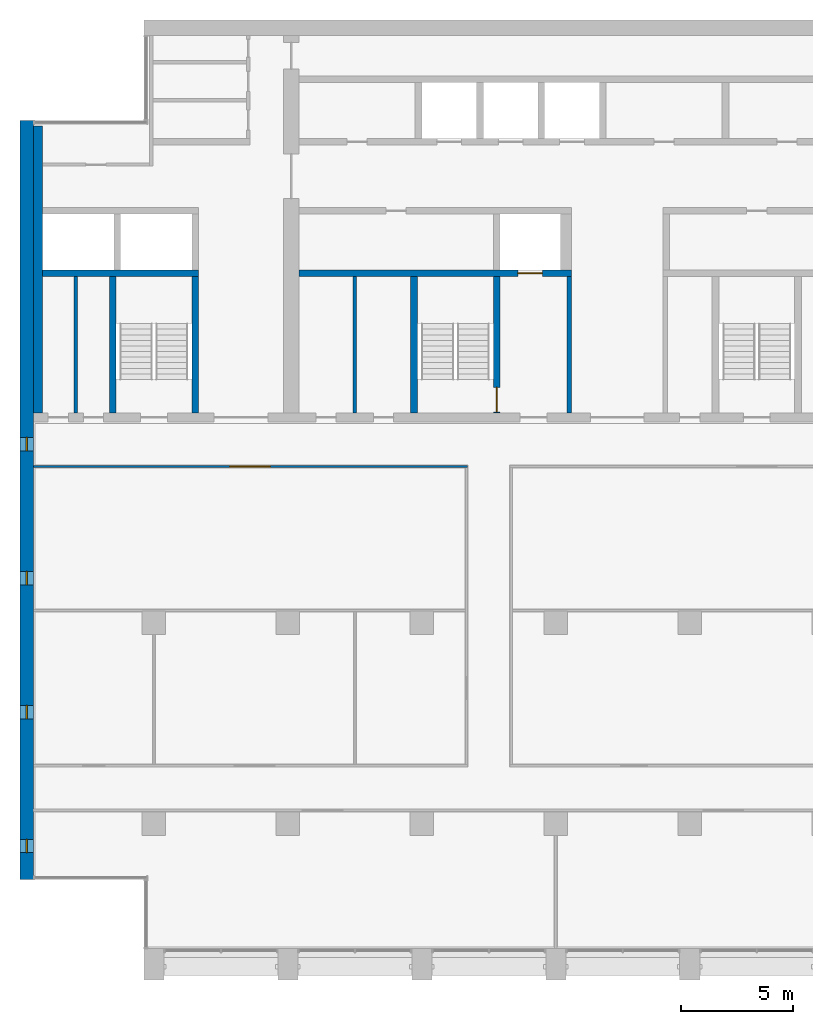
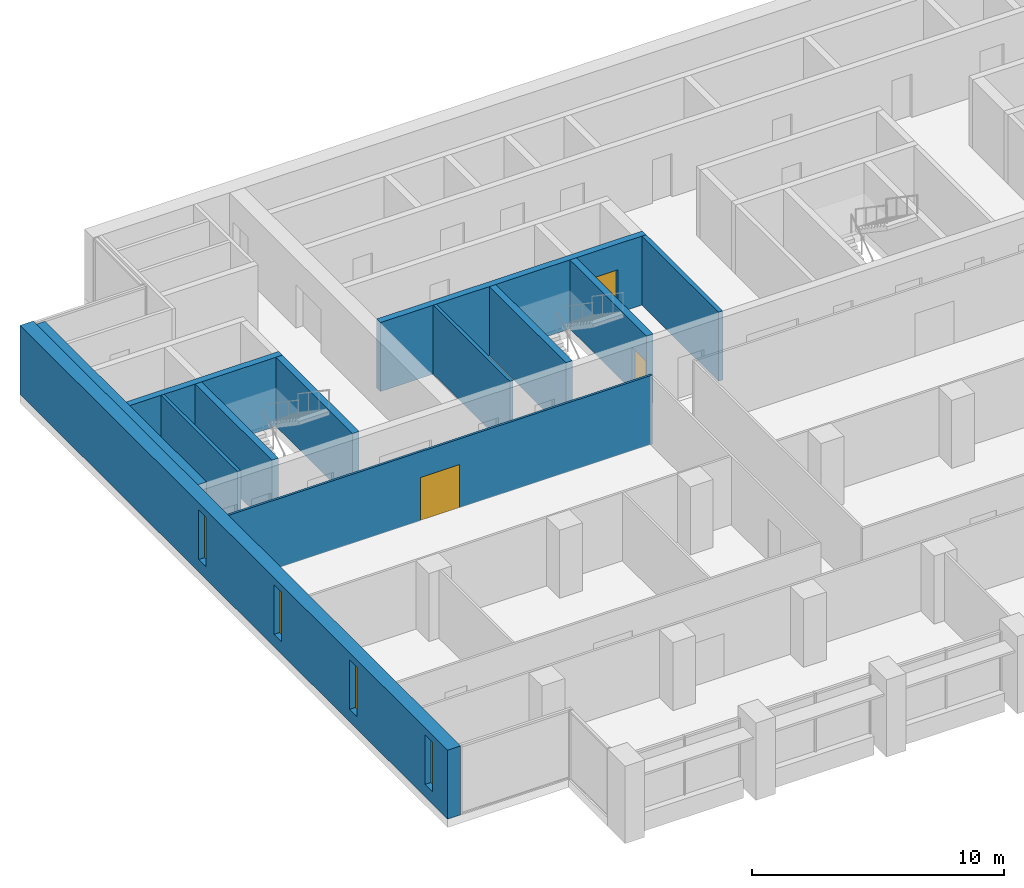
# One storey, part 8 of 17: 12 walls, 4 windows, 3 doors, 7 openings.
"""IFC4 building model written with IfcOpenShell, lengths in metres."""

from ifc_helpers import new_model, si_unit, direction, frame, frame_2d, origin, place, context, subcontext, project, spatial, rectangle, extrude, material, layer, layer_set, type_object, element, fill, save


model = new_model("IFC4")

# Units and contexts
model_context = context("Model", 3, precision=1e-05, world=origin(), true_north=direction((0.0, 1.0)))
body_context = subcontext(model_context, "Body", "Model", "MODEL_VIEW")
ifc_project = project(units=[si_unit("LENGTHUNIT", "METRE"), si_unit("AREAUNIT", "SQUARE_METRE"), si_unit("VOLUMEUNIT", "CUBIC_METRE"), si_unit("PLANEANGLEUNIT", "RADIAN"), si_unit("MASSUNIT", "GRAM", prefix="KILO")], contexts=[model_context])

# Site, building, storey
site_placement = place(None, origin())
site = spatial("IfcSite", under=ifc_project, at=site_placement, CompositionType="ELEMENT")
building_placement = place(site_placement, origin())
building = spatial("IfcBuilding", under=site, at=building_placement, Name="Calvaro Tower", CompositionType="ELEMENT")
storey_placement = place(building_placement, frame((0.0, 0.0, 208.0)))
storey = spatial("IfcBuildingStorey", under=building, at=storey_placement, Name="L52", CompositionType="ELEMENT", Elevation=208.0)

# Walls
ifc_material_1 = material(Name="Blockwork partition", Category="masonry")
ifc_layer_1 = layer(ifc_material_1, 0.14990234375)
ifc_layer_set_1 = layer_set([ifc_layer_1], Name="Blockwork partition")
wall_type_1 = type_object("IfcWallType", Name="Core partition 150 EI 60", PredefinedType="PARTITIONING", material=ifc_layer_set_1)
wall_1_placement = place(storey_placement, frame((21.0, 28.39990234375, 0.0), z_axis=(0.0, 0.0, 1.0), x_axis=(0.0, 1.0, 0.0)))
element("IfcWall", 1, at=wall_1_placement, inside=storey, type_object=wall_type_1, Name="Core partition", PredefinedType="PARTITIONING", context=body_context, shape_type="SweptSolid", body=[
    extrude(rectangle(XDim=6.10009765625, YDim=0.14990234375, at=frame_2d((3.050048828125, 0.0))), origin(), (0.0, 0.0, 1.0), 3.35009765625),
])
ifc_material_2 = material(Name="Blockwork partition", Category="masonry")
ifc_layer_2 = layer(ifc_material_2, 0.14990234375)
ifc_layer_set_2 = layer_set([ifc_layer_2], Name="Blockwork partition")
wall_type_2 = type_object("IfcWallType", Name="Core partition 150 REI 120", PredefinedType="PARTITIONING", material=ifc_layer_set_2)
wall_2_placement = place(storey_placement, frame((8.5, 28.39990234375, 0.0), z_axis=(0.0, 0.0, 1.0), x_axis=(0.0, 1.0, 0.0)))
element("IfcWall", 2, at=wall_2_placement, inside=storey, type_object=wall_type_2, Name="Core partition", PredefinedType="PARTITIONING", context=body_context, shape_type="SweptSolid", body=[
    extrude(rectangle(XDim=6.10009765625, YDim=0.14990234375, at=frame_2d((3.050048828125, 0.0))), origin(), (0.0, 0.0, 1.0), 3.35009765625),
])
ifc_material_3 = material(Name="Blockwork partition", Category="masonry")
ifc_layer_3 = layer(ifc_material_3, 0.199951171875)
ifc_layer_set_3 = layer_set([ifc_layer_3], Name="Blockwork partition")
wall_type_3 = type_object("IfcWallType", Name="Core partition 200 REI 120", PredefinedType="PARTITIONING", material=ifc_layer_set_3)
wall_3_placement = place(storey_placement, frame((30.60009765625, 28.39990234375, 0.0), z_axis=(0.0, 0.0, 1.0), x_axis=(0.0, 1.0, 0.0)))
element("IfcWall", 3, at=wall_3_placement, inside=storey, type_object=wall_type_3, Name="Core partition", PredefinedType="PARTITIONING", context=body_context, shape_type="SweptSolid", body=[
    extrude(rectangle(XDim=6.10009765625, YDim=0.199951171875, at=frame_2d((3.050048828125, 0.0))), origin(), (0.0, 0.0, 1.0), 3.35009765625),
])
ifc_material_4 = material(Name="Concrete C50/60", Category="concrete")
ifc_layer_4 = layer(ifc_material_4, 0.300048828125)
ifc_layer_set_4 = layer_set([ifc_layer_4], Name="Concrete C50/60")
wall_type_4 = type_object("IfcWallType", Name="Core wall C50/60 300", PredefinedType="SHEAR", material=ifc_layer_set_4)
for number, where, z_axis, x_axis, name in (
    (4, (10.14990234375, 28.39990234375, 0.0), (0.0, 0.0, 1.0), (0.0, 1.0, 0.0), "Core wall, stair enclosure"),
    (5, (13.85009765625, 28.39990234375, 0.0), (0.0, 0.0, 1.0), (0.0, 1.0, 0.0), "Core wall, stair enclosure"),
    (6, (23.64990234375, 28.39990234375, 0.0), (0.0, 0.0, 1.0), (0.0, 1.0, 0.0), "Core wall, stair enclosure"),
):
    element("IfcWall", number, at=place(storey_placement, frame(where, z_axis=z_axis, x_axis=x_axis)), inside=storey, type_object=wall_type_4, Name=name, PredefinedType="SHEAR", context=body_context, shape_type="SweptSolid", body=[
        extrude(rectangle(XDim=6.10009765625, YDim=0.300048828125, at=frame_2d((3.050048828125, 0.0))), origin(), (0.0, 0.0, 1.0), 3.35009765625),
    ])

# Wall, opening, door
wall_4_placement = place(storey_placement, frame((27.35009765625, 28.39990234375, 0.0), z_axis=(0.0, 0.0, 1.0), x_axis=(0.0, 1.0, 0.0)))
wall_4 = element("IfcWall", 7, at=wall_4_placement, inside=storey, type_object=wall_type_4, Name="Core wall, stair enclosure", PredefinedType="SHEAR", context=body_context, shape_type="SweptSolid", body=[
    extrude(rectangle(XDim=6.10009765625, YDim=0.300048828125, at=frame_2d((3.050048828125, 0.0))), origin(), (0.0, 0.0, 1.0), 3.35009765625),
])
opening_1_placement = place(wall_4_placement, frame((0.050048828125, 0.0, 0.0)))
opening_1 = element("IfcOpeningElement", 8, at=opening_1_placement, cuts=wall_4, Name="Opening FD11D", PredefinedType="OPENING", context=body_context, shape_type="SweptSolid", body=[
    extrude(rectangle(XDim=1.10009765625, YDim=2.10009765625, at=frame_2d((0.550048828125, 1.050048828125))), frame((0.0, 0.159912109375, 0.0), z_axis=(0.0, -1.0, 0.0), x_axis=(1.0, 0.0, 0.0)), (0.0, 0.0, 1.0), 0.320068359375),
])
ifc_material_5 = material(Name="Steel door set", Category="steel")
door_type_1 = type_object("IfcDoorType", Name="Fire door 1100 FD30S", OperationType="SINGLE_SWING_LEFT", PredefinedType="DOOR", material=ifc_material_5)
door_1_placement = place(opening_1_placement, origin())
door_1 = element("IfcDoor", 9, at=door_1_placement, inside=storey, type_object=door_type_1, Name="Fire door", OperationType="SINGLE_SWING_LEFT", OverallHeight=2.10009765625, OverallWidth=1.10009765625, PredefinedType="DOOR", context=body_context, shape_type="SweptSolid", body=[
    extrude(rectangle(XDim=1.10009765625, YDim=2.10009765625, at=frame_2d((0.550048828125, 1.050048828125))), frame((0.0, 0.02490234375, 0.0), z_axis=(0.0, -1.0, 0.0), x_axis=(1.0, 0.0, 0.0)), (0.0, 0.0, 1.0), 0.050048828125),
])
fill(opening_1, door_1)

# Wall
wall_5_placement = place(storey_placement, frame((7.0, 34.64990234375, 0.0), z_axis=(0.0, 0.0, 1.0), x_axis=(1.0, 0.0, 0.0)))
element("IfcWall", 10, at=wall_5_placement, inside=storey, type_object=wall_type_4, Name="Core wall, lift shaft", PredefinedType="SHEAR", context=body_context, shape_type="SweptSolid", body=[
    extrude(rectangle(XDim=7.0, YDim=0.300048828125, at=frame_2d((3.5, 0.0))), origin(), (0.0, 0.0, 1.0), 3.35009765625),
])

# Wall, opening, door
wall_6_placement = place(storey_placement, frame((18.5, 34.64990234375, 0.0), z_axis=(0.0, 0.0, 1.0), x_axis=(1.0, 0.0, 0.0)))
wall_6 = element("IfcWall", 11, at=wall_6_placement, inside=storey, type_object=wall_type_4, Name="Core wall, lift shaft", PredefinedType="SHEAR", context=body_context, shape_type="SweptSolid", body=[
    extrude(rectangle(XDim=12.199951171875, YDim=0.300048828125, at=frame_2d((6.10009765625, 0.0))), origin(), (0.0, 0.0, 1.0), 3.35009765625),
])
opening_2_placement = place(wall_6_placement, frame((9.800048828125, 0.0, 0.0)))
opening_2 = element("IfcOpeningElement", 12, at=opening_2_placement, cuts=wall_6, Name="Opening FF1", PredefinedType="OPENING", context=body_context, shape_type="SweptSolid", body=[
    extrude(rectangle(XDim=1.10009765625, YDim=2.10009765625, at=frame_2d((0.550048828125, 1.050048828125))), frame((0.0, 0.159912109375, 0.0), z_axis=(0.0, -1.0, 0.0), x_axis=(1.0, 0.0, 0.0)), (0.0, 0.0, 1.0), 0.320068359375),
])
ifc_material_6 = material(Name="Stainless steel", Category="steel")
door_type_2 = type_object("IfcDoorType", Name="Landing door 1100 E 60", OperationType="SLIDING_TO_LEFT", PredefinedType="DOOR", material=ifc_material_6)
door_2_placement = place(opening_2_placement, origin())
door_2 = element("IfcDoor", 13, at=door_2_placement, inside=storey, type_object=door_type_2, Name="Landing door FF1", OperationType="SLIDING_TO_LEFT", OverallHeight=2.10009765625, OverallWidth=1.10009765625, PredefinedType="DOOR", context=body_context, shape_type="SweptSolid", body=[
    extrude(rectangle(XDim=1.10009765625, YDim=2.10009765625, at=frame_2d((0.550048828125, 1.050048828125))), frame((0.0, 0.02490234375, 0.0), z_axis=(0.0, -1.0, 0.0), x_axis=(1.0, 0.0, 0.0)), (0.0, 0.0, 1.0), 0.050048828125),
])
fill(opening_2, door_2)

# Wall
ifc_material_7 = material(Name="Concrete C50/60", Category="concrete")
ifc_layer_5 = layer(ifc_material_7, 0.39990234375)
ifc_layer_set_5 = layer_set([ifc_layer_5], Name="Concrete C50/60")
wall_type_5 = type_object("IfcWallType", Name="Core wall C50/60 400", PredefinedType="SHEAR", material=ifc_layer_set_5)
wall_7_placement = place(storey_placement, frame((6.800048828125, 28.39990234375, 0.0), z_axis=(0.0, 0.0, 1.0), x_axis=(0.0, 1.0, 0.0)))
element("IfcWall", 14, at=wall_7_placement, inside=storey, type_object=wall_type_5, Name="Core wall, boundary", PredefinedType="SHEAR", context=body_context, shape_type="SweptSolid", body=[
    extrude(rectangle(XDim=12.85009765625, YDim=0.39990234375, at=frame_2d((6.425048828125, 0.0))), origin(), (0.0, 0.0, 1.0), 3.35009765625),
])

# Wall, openings, windows
ifc_material_8 = material(Name="Concrete C50/60", Category="concrete")
ifc_layer_6 = layer(ifc_material_8, 0.60009765625)
ifc_layer_set_6 = layer_set([ifc_layer_6], Name="Concrete C50/60")
wall_type_6 = type_object("IfcWallType", Name="End wall 600 C50/60", PredefinedType="SHEAR", material=ifc_layer_set_6)
wall_8_placement = place(storey_placement, frame((6.300048828125, 7.5, 0.0), z_axis=(0.0, 0.0, 1.0), x_axis=(0.0, 1.0, 0.0)))
wall_8 = element("IfcWall", 15, at=wall_8_placement, inside=storey, type_object=wall_type_6, Name="End shear wall", PredefinedType="SHEAR", context=body_context, shape_type="SweptSolid", body=[
    extrude(rectangle(XDim=34.0, YDim=0.60009765625, at=frame_2d((17.0, 0.0))), origin(), (0.0, 0.0, 1.0), 3.35009765625),
])
opening_3_placement = place(wall_8_placement, frame((1.199951171875, 0.0, 0.60009765625)))
opening_3 = element("IfcOpeningElement", 16, at=opening_3_placement, cuts=wall_8, Name="Opening WW01", PredefinedType="OPENING", context=body_context, shape_type="SweptSolid", body=[
    extrude(rectangle(XDim=0.60009765625, YDim=2.39990234375, at=frame_2d((0.300048828125, 1.199951171875))), frame((0.0, 0.31005859375, 0.0), z_axis=(0.0, -1.0, 0.0), x_axis=(1.0, 0.0, 0.0)), (0.0, 0.0, 1.0), 0.6201171875),
])
opening_4_placement = place(wall_8_placement, frame((7.199951171875, 0.0, 0.60009765625)))
opening_4 = element("IfcOpeningElement", 17, at=opening_4_placement, cuts=wall_8, Name="Opening WW02", PredefinedType="OPENING", context=body_context, shape_type="SweptSolid", body=[
    extrude(rectangle(XDim=0.60009765625, YDim=2.39990234375, at=frame_2d((0.300048828125, 1.199951171875))), frame((0.0, 0.31005859375, 0.0), z_axis=(0.0, -1.0, 0.0), x_axis=(1.0, 0.0, 0.0)), (0.0, 0.0, 1.0), 0.6201171875),
])
opening_5_placement = place(wall_8_placement, frame((13.199951171875, 0.0, 0.60009765625)))
opening_5 = element("IfcOpeningElement", 18, at=opening_5_placement, cuts=wall_8, Name="Opening WW03", PredefinedType="OPENING", context=body_context, shape_type="SweptSolid", body=[
    extrude(rectangle(XDim=0.60009765625, YDim=2.39990234375, at=frame_2d((0.300048828125, 1.199951171875))), frame((0.0, 0.31005859375, 0.0), z_axis=(0.0, -1.0, 0.0), x_axis=(1.0, 0.0, 0.0)), (0.0, 0.0, 1.0), 0.6201171875),
])
opening_6_placement = place(wall_8_placement, frame((19.199951171875, 0.0, 0.60009765625)))
opening_6 = element("IfcOpeningElement", 19, at=opening_6_placement, cuts=wall_8, Name="Opening WW04", PredefinedType="OPENING", context=body_context, shape_type="SweptSolid", body=[
    extrude(rectangle(XDim=0.60009765625, YDim=2.39990234375, at=frame_2d((0.300048828125, 1.199951171875))), frame((0.0, 0.31005859375, 0.0), z_axis=(0.0, -1.0, 0.0), x_axis=(1.0, 0.0, 0.0)), (0.0, 0.0, 1.0), 0.6201171875),
])
ifc_material_9 = material(Name="Glass", Category="glass")
window_type = type_object("IfcWindowType", Name="Slit window 600 x 2400", PartitioningType="SINGLE_PANEL", PredefinedType="WINDOW", material=ifc_material_9)
window_1_placement = place(opening_3_placement, origin())
window_1 = element("IfcWindow", 20, at=window_1_placement, inside=storey, type_object=window_type, Name="Window WW01", OverallHeight=2.39990234375, OverallWidth=0.60009765625, PartitioningType="SINGLE_PANEL", PredefinedType="WINDOW", context=body_context, shape_type="SweptSolid", body=[
    extrude(rectangle(XDim=0.60009765625, YDim=2.39990234375, at=frame_2d((0.300048828125, 1.199951171875))), frame((0.0, 0.030029296875, 0.0), z_axis=(0.0, -1.0, 0.0), x_axis=(1.0, 0.0, 0.0)), (0.0, 0.0, 1.0), 0.06005859375),
])
fill(opening_3, window_1)
window_2_placement = place(opening_4_placement, origin())
window_2 = element("IfcWindow", 21, at=window_2_placement, inside=storey, type_object=window_type, Name="Window WW02", OverallHeight=2.39990234375, OverallWidth=0.60009765625, PartitioningType="SINGLE_PANEL", PredefinedType="WINDOW", context=body_context, shape_type="SweptSolid", body=[
    extrude(rectangle(XDim=0.60009765625, YDim=2.39990234375, at=frame_2d((0.300048828125, 1.199951171875))), frame((0.0, 0.030029296875, 0.0), z_axis=(0.0, -1.0, 0.0), x_axis=(1.0, 0.0, 0.0)), (0.0, 0.0, 1.0), 0.06005859375),
])
fill(opening_4, window_2)
window_3_placement = place(opening_5_placement, origin())
window_3 = element("IfcWindow", 22, at=window_3_placement, inside=storey, type_object=window_type, Name="Window WW03", OverallHeight=2.39990234375, OverallWidth=0.60009765625, PartitioningType="SINGLE_PANEL", PredefinedType="WINDOW", context=body_context, shape_type="SweptSolid", body=[
    extrude(rectangle(XDim=0.60009765625, YDim=2.39990234375, at=frame_2d((0.300048828125, 1.199951171875))), frame((0.0, 0.030029296875, 0.0), z_axis=(0.0, -1.0, 0.0), x_axis=(1.0, 0.0, 0.0)), (0.0, 0.0, 1.0), 0.06005859375),
])
fill(opening_5, window_3)
window_4_placement = place(opening_6_placement, origin())
window_4 = element("IfcWindow", 23, at=window_4_placement, inside=storey, type_object=window_type, Name="Window WW04", OverallHeight=2.39990234375, OverallWidth=0.60009765625, PartitioningType="SINGLE_PANEL", PredefinedType="WINDOW", context=body_context, shape_type="SweptSolid", body=[
    extrude(rectangle(XDim=0.60009765625, YDim=2.39990234375, at=frame_2d((0.300048828125, 1.199951171875))), frame((0.0, 0.030029296875, 0.0), z_axis=(0.0, -1.0, 0.0), x_axis=(1.0, 0.0, 0.0)), (0.0, 0.0, 1.0), 0.06005859375),
])
fill(opening_6, window_4)

# Wall, opening, door
ifc_material_10 = material(Name="Plasterboard on steel studs", Category="steel")
ifc_layer_7 = layer(ifc_material_10, 0.10009765625)
ifc_layer_set_7 = layer_set([ifc_layer_7], Name="Plasterboard on steel studs")
wall_type_7 = type_object("IfcWallType", Name="Partition 100", PredefinedType="PARTITIONING", material=ifc_layer_set_7)
wall_9_placement = place(storey_placement, frame((6.60009765625, 26.0, 0.0), z_axis=(0.0, 0.0, 1.0), x_axis=(1.0, 0.0, 0.0)))
wall_9 = element("IfcWall", 24, at=wall_9_placement, inside=storey, type_object=wall_type_7, Name="Partition T30.W008", PredefinedType="PARTITIONING", context=body_context, shape_type="SweptSolid", body=[
    extrude(rectangle(XDim=19.449951171875, YDim=0.10009765625, at=frame_2d((9.72509765625, 0.0))), origin(), (0.0, 0.0, 1.0), 3.35009765625),
])
opening_7_placement = place(wall_9_placement, frame((8.800048828125, 0.0, 0.0)))
opening_7 = element("IfcOpeningElement", 25, at=opening_7_placement, cuts=wall_9, Name="Opening T30.012", PredefinedType="OPENING", context=body_context, shape_type="SweptSolid", body=[
    extrude(rectangle(XDim=1.800048828125, YDim=2.10009765625, at=frame_2d((0.89990234375, 1.050048828125))), frame((0.0, 0.06005859375, 0.0), z_axis=(0.0, -1.0, 0.0), x_axis=(1.0, 0.0, 0.0)), (0.0, 0.0, 1.0), 0.1201171875),
])
ifc_material_11 = material(Name="Timber", Category="wood")
door_type_3 = type_object("IfcDoorType", Name="Internal double door 1800 x 2100", OperationType="DOUBLE_DOOR_SINGLE_SWING", PredefinedType="DOOR", material=ifc_material_11)
door_3_placement = place(opening_7_placement, origin())
door_3 = element("IfcDoor", 26, at=door_3_placement, inside=storey, type_object=door_type_3, Name="Door T30.012", OperationType="DOUBLE_DOOR_SINGLE_SWING", OverallHeight=2.10009765625, OverallWidth=1.800048828125, PredefinedType="DOOR", context=body_context, shape_type="SweptSolid", body=[
    extrude(rectangle(XDim=1.800048828125, YDim=2.10009765625, at=frame_2d((0.89990234375, 1.050048828125))), frame((0.0, 0.02490234375, 0.0), z_axis=(0.0, -1.0, 0.0), x_axis=(1.0, 0.0, 0.0)), (0.0, 0.0, 1.0), 0.050048828125),
])
fill(opening_7, door_3)

save(model, "model.ifc")
